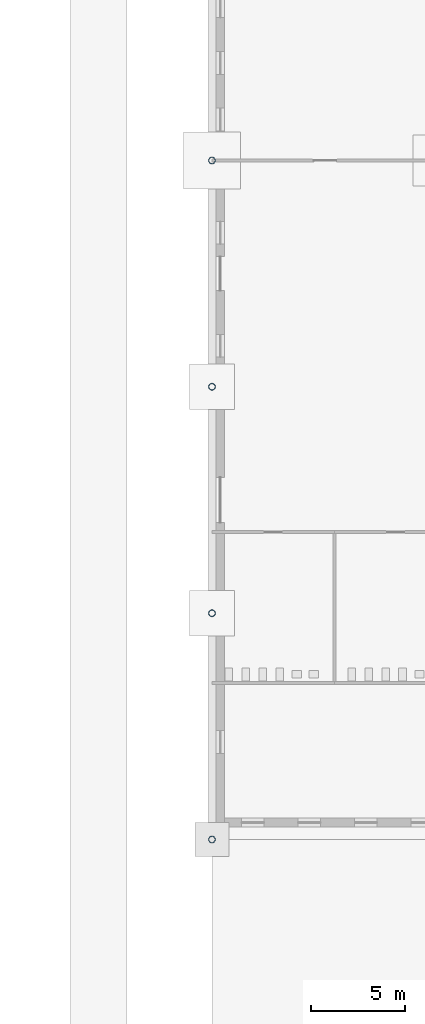
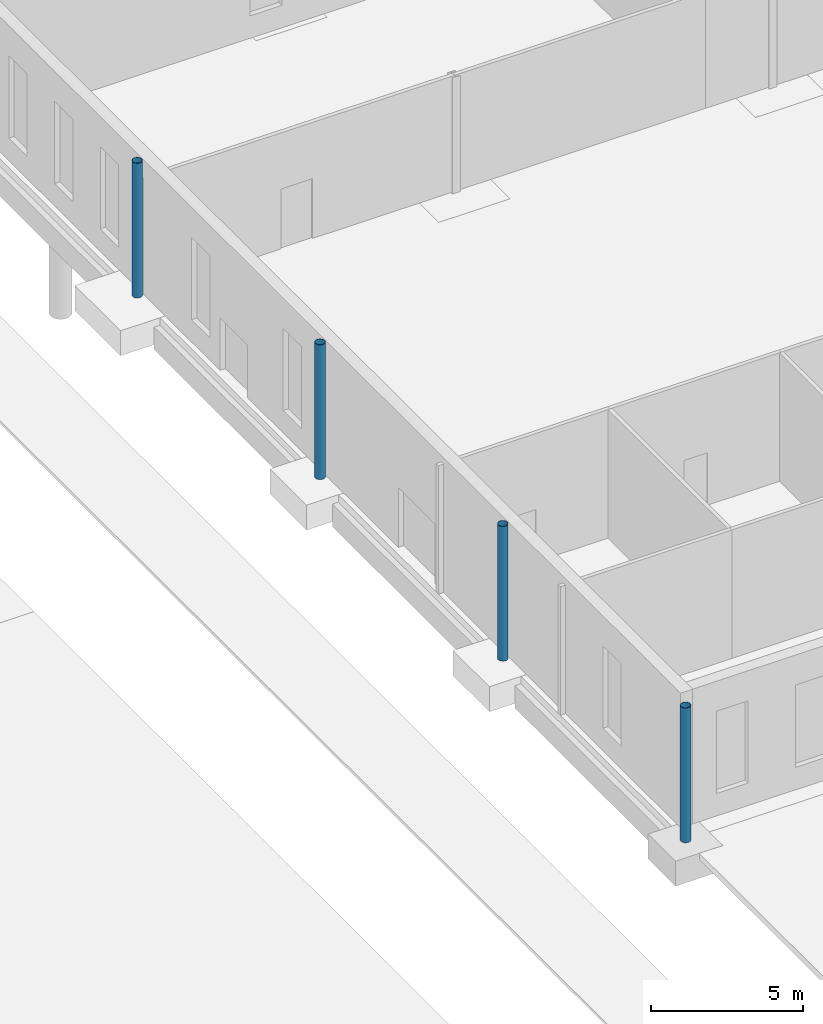
# One storey, part 38 of 132: 4 columns.
"""IFC4 building model written with IfcOpenShell, lengths in metres."""

from ifc_helpers import new_model, si_unit, direction, frame, origin, origin_2d, place, context, subcontext, project, spatial, hollow_circle, extrude, material, material_profile, profile_set, type_object, element, save


model = new_model("IFC4")

# Units and contexts
model_context = context("Model", 3, precision=1e-05, world=origin(), true_north=direction((0.0, 1.0)))
body_context = subcontext(model_context, "Body", "Model", "MODEL_VIEW")
ifc_project = project(units=[si_unit("LENGTHUNIT", "METRE"), si_unit("AREAUNIT", "SQUARE_METRE"), si_unit("VOLUMEUNIT", "CUBIC_METRE"), si_unit("PLANEANGLEUNIT", "RADIAN"), si_unit("MASSUNIT", "GRAM", prefix="KILO")], contexts=[model_context])

# Site, building, storey
site_placement = place(None, origin())
site = spatial("IfcSite", under=ifc_project, at=site_placement, CompositionType="ELEMENT")
building_placement = place(site_placement, origin())
building = spatial("IfcBuilding", under=site, at=building_placement, Name="Ravi Spectrum Wholesale Market", CompositionType="ELEMENT")
storey_placement = place(building_placement, origin())
storey = spatial("IfcBuildingStorey", under=building, at=storey_placement, Name="L00", CompositionType="ELEMENT", Elevation=0.0)

# Columns
ifc_material = material(Name="Steel S355", Category="steel")
ifc_material_profile = material_profile(ifc_material, hollow_circle(Radius=0.177734375, WallThickness=0.012451171875, at=origin_2d()))
ifc_profile_set = profile_set([ifc_material_profile], Name="Steel S355")
column_type = type_object("IfcColumnType", Name="CHS 355.6x12.5 column", PredefinedType="COLUMN", material=ifc_profile_set)
for number, where, z_axis, x_axis, name in (
    (1, (162.0, 138.0, 0.0), (0.0, 0.0, 1.0), (1.0, 0.0, 0.0), "H3-COL-L00-001"),
    (2, (162.0, 150.0, 0.0), (0.0, 0.0, 1.0), (1.0, 0.0, 0.0), "H3-COL-L00-002"),
    (3, (162.0, 162.0, 0.0), (0.0, 0.0, 1.0), (1.0, 0.0, 0.0), "H3-COL-L00-003"),
    (4, (162.0, 174.0, 0.0), (0.0, 0.0, 1.0), (1.0, 0.0, 0.0), "H3-COL-L00-004"),
):
    element("IfcColumn", number, at=place(storey_placement, frame(where, z_axis=z_axis, x_axis=x_axis)), inside=storey, type_object=column_type, Name=name, PredefinedType="COLUMN", context=body_context, shape_type="SweptSolid", body=[
        extrude(hollow_circle(Radius=0.177734375, WallThickness=0.012451171875, at=origin_2d()), origin(), (0.0, 0.0, 1.0), 5.39990234375),
    ])

save(model, "model.ifc")
